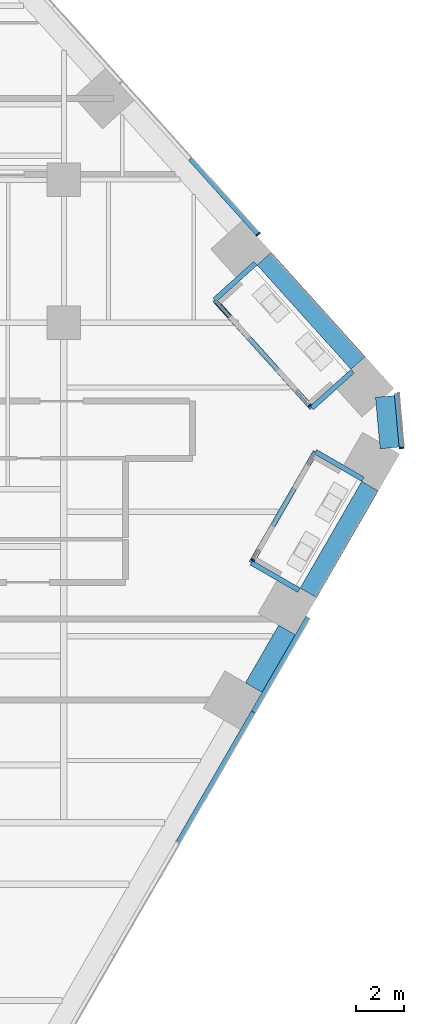
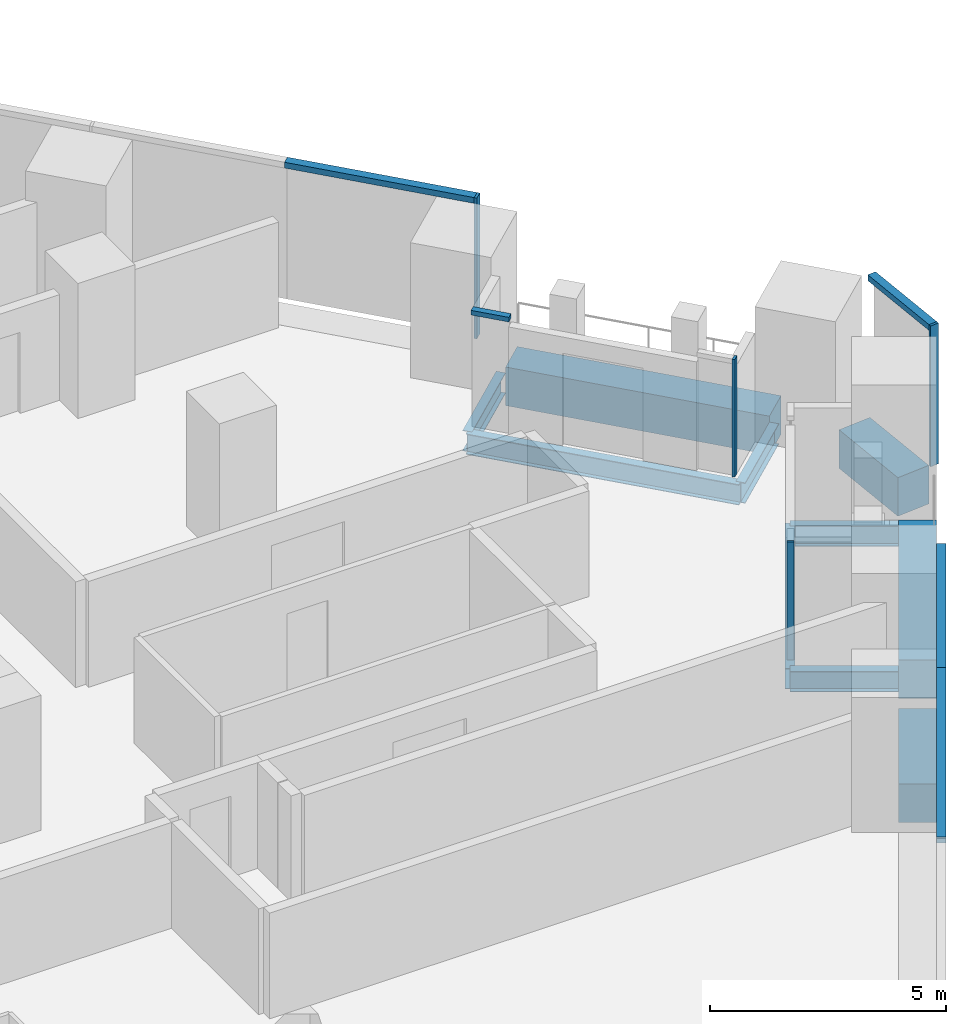
# One storey, part 12 of 28: 10 beams, 9 members, 5 elements without a shape of their own.
"""IFC4 building model written with IfcOpenShell, lengths in metres."""

from ifc_helpers import new_model, si_unit, direction, frame, origin, origin_2d, place, context, subcontext, project, spatial, rectangle, i_section, extrude, material, layer, layer_set, material_profile, profile_set, type_object, element, aggregate, save


model = new_model("IFC4")

# Units and contexts
model_context = context("Model", 3, precision=1e-05, world=origin(), true_north=direction((0.0, 1.0)))
body_context = subcontext(model_context, "Body", "Model", "MODEL_VIEW")
ifc_project = project(units=[si_unit("LENGTHUNIT", "METRE"), si_unit("AREAUNIT", "SQUARE_METRE"), si_unit("VOLUMEUNIT", "CUBIC_METRE"), si_unit("PLANEANGLEUNIT", "RADIAN"), si_unit("MASSUNIT", "GRAM", prefix="KILO")], contexts=[model_context])

# Site, building, storey
site_placement = place(None, origin())
site = spatial("IfcSite", under=ifc_project, at=site_placement, CompositionType="ELEMENT")
building_placement = place(site_placement, origin())
building = spatial("IfcBuilding", under=site, at=building_placement, Name="Isthmus Gate Tower", CompositionType="ELEMENT")
storey_placement = place(building_placement, frame((0.0, 0.0, 68.85009765625)))
storey = spatial("IfcBuildingStorey", under=building, at=storey_placement, Name="L15", CompositionType="ELEMENT", Elevation=68.85009765625)

# Curtain wall, member
ifc_material_1 = material(Name="Aluminium, pale champagne anodised", Category="aluminium")
ifc_layer_1 = layer(ifc_material_1, 0.199951171875)
ifc_layer_set_1 = layer_set([ifc_layer_1], Name="CW-1 UNITISED CURTAIN WALL 200 DEEP")
curtain_wall_type_1 = type_object("IfcCurtainWallType", Name="CW-1 UNITISED CURTAIN WALL 200 DEEP", PredefinedType="NOTDEFINED", material=ifc_layer_set_1)
curtain_wall_1_placement = place(storey_placement, origin())
curtain_wall_1 = element("IfcCurtainWall", 1, at=curtain_wall_1_placement, inside=storey, type_object=curtain_wall_type_1, Name="CW-1 SE-NE L15", PredefinedType="NOTDEFINED")
ifc_material_2 = material(Name="Aluminium, pale champagne anodised", Category="aluminium")
ifc_material_profile_1 = material_profile(ifc_material_2, rectangle(XDim=0.06005859375, YDim=0.199951171875, at=origin_2d()), Name="60x200")
ifc_profile_set_1 = profile_set([ifc_material_profile_1], Name="Aluminium, pale champagne anodised")
member_type_1 = type_object("IfcMemberType", Name="CW-1 MULLION 60 X 200", PredefinedType="MULLION", material=ifc_profile_set_1)
member_1_placement = place(storey_placement, frame((38.178955078125, 2.24169921875, 0.0), z_axis=(0.0, 0.0, 1.0), x_axis=(-0.089396669717, 0.995996102123, 0.0)))
member_1 = element("IfcMember", 2, at=member_1_placement, type_object=member_type_1, Name="CW-1 mullion", PredefinedType="MULLION", context=body_context, shape_type="SweptSolid", body=[
    extrude(rectangle(XDim=0.06005859375, YDim=0.199951171875, at=origin_2d()), origin(), (0.0, 0.0, 1.0), 3.64990234375),
])

curtain_wall_2_placement = place(storey_placement, origin())
curtain_wall_2 = element("IfcCurtainWall", 3, at=curtain_wall_2_placement, inside=storey, type_object=curtain_wall_type_1, Name="CW-1 NE L15", PredefinedType="NOTDEFINED")
member_2_placement = place(storey_placement, frame((32.16162109375, 11.208740234375, 0.0), z_axis=(0.0, 0.0, 1.0), x_axis=(-0.669130606359, 0.743144825477, 0.0)))
member_2 = element("IfcMember", 4, at=member_2_placement, type_object=member_type_1, Name="CW-1 mullion", PredefinedType="MULLION", context=body_context, shape_type="SweptSolid", body=[
    extrude(rectangle(XDim=0.06005859375, YDim=0.199951171875, at=origin_2d()), origin(), (0.0, 0.0, 1.0), 3.64990234375),
])

# Curtain wall, members
curtain_wall_3_placement = place(storey_placement, origin())
curtain_wall_3 = element("IfcCurtainWall", 5, at=curtain_wall_3_placement, inside=storey, type_object=curtain_wall_type_1, Name="CW-1 SE L15", PredefinedType="NOTDEFINED")
ifc_material_3 = material(Name="Aluminium, pale champagne anodised", Category="aluminium")
ifc_material_profile_2 = material_profile(ifc_material_3, rectangle(XDim=0.199951171875, YDim=0.14990234375, at=origin_2d()), Name="200x150")
ifc_profile_set_2 = profile_set([ifc_material_profile_2], Name="Aluminium, pale champagne anodised")
member_type_2 = type_object("IfcMemberType", Name="CW-1 TRANSOM 200 X 150", PredefinedType="USERDEFINED", material=ifc_profile_set_2)
member_3_placement = place(storey_placement, frame((28.817138671875, -14.287353515625, 3.574951171875), z_axis=(0.499995104884, 0.866028229963, 0.0), x_axis=(-0.866028229963, 0.499995104884, 0.0)))
member_3 = element("IfcMember", 6, at=member_3_placement, type_object=member_type_2, Name="CW-1 transom", ObjectType="TRANSOM", PredefinedType="USERDEFINED", context=body_context, shape_type="SweptSolid", body=[
    extrude(rectangle(XDim=0.199951171875, YDim=0.14990234375, at=origin_2d()), origin(), (0.0, 0.0, 1.0), 6.2783203125),
])
member_4_placement = place(storey_placement, frame((31.956298828125, -8.85009765625, 3.574951171875), z_axis=(0.499992401796, 0.866029790565, 0.0), x_axis=(-0.866029790565, 0.499992401796, 0.0)))
member_4 = element("IfcMember", 7, at=member_4_placement, type_object=member_type_2, Name="CW-1 transom", ObjectType="TRANSOM", PredefinedType="USERDEFINED", context=body_context, shape_type="SweptSolid", body=[
    extrude(rectangle(XDim=0.199951171875, YDim=0.14990234375, at=origin_2d()), origin(), (0.0, 0.0, 1.0), 4.5927734375),
])
aggregate(curtain_wall_3, [member_3, member_4])

# Member
member_5_placement = place(storey_placement, frame((38.17626953125, 2.271728515625, 3.574951171875), z_axis=(-0.089395362867, 0.995996219419, 0.0), x_axis=(-0.995996219419, -0.089395362867, 0.0)))
member_5 = element("IfcMember", 8, at=member_5_placement, type_object=member_type_2, Name="CW-1 transom", ObjectType="TRANSOM", PredefinedType="USERDEFINED", context=body_context, shape_type="SweptSolid", body=[
    extrude(rectangle(XDim=0.199951171875, YDim=0.14990234375, at=origin_2d()), origin(), (0.0, 0.0, 1.0), 2.258544921875),
])

aggregate(curtain_wall_1, [member_1, member_5])

member_6_placement = place(storey_placement, frame((32.141357421875, 11.23095703125, 3.574951171875), z_axis=(-0.669123979474, 0.743150792298, 0.0), x_axis=(-0.743150792298, -0.669123979474, 0.0)))
member_6 = element("IfcMember", 9, at=member_6_placement, type_object=member_type_2, Name="CW-1 transom", ObjectType="TRANSOM", PredefinedType="USERDEFINED", context=body_context, shape_type="SweptSolid", body=[
    extrude(rectangle(XDim=0.199951171875, YDim=0.14990234375, at=origin_2d()), origin(), (0.0, 0.0, 1.0), 4.234619140625),
])

aggregate(curtain_wall_2, [member_2, member_6])

# Curtain wall, member
ifc_material_4 = material(Name="Aluminium, pale champagne anodised", Category="aluminium")
ifc_layer_2 = layer(ifc_material_4, 0.14990234375)
ifc_layer_set_2 = layer_set([ifc_layer_2], Name="CW-6 LOGGIA BACK WALL GLAZING 150 DEEP")
curtain_wall_type_2 = type_object("IfcCurtainWallType", Name="CW-6 LOGGIA BACK WALL GLAZING 150 DEEP", PredefinedType="NOTDEFINED", material=ifc_layer_set_2)
curtain_wall_4_placement = place(storey_placement, origin())
curtain_wall_4 = element("IfcCurtainWall", 10, at=curtain_wall_4_placement, inside=storey, type_object=curtain_wall_type_2, Name="CW-6 SE L15", PredefinedType="NOTDEFINED")
ifc_material_5 = material(Name="Aluminium, pale champagne anodised", Category="aluminium")
ifc_material_profile_3 = material_profile(ifc_material_5, rectangle(XDim=0.06005859375, YDim=0.14990234375, at=origin_2d()), Name="60x150")
ifc_profile_set_3 = profile_set([ifc_material_profile_3], Name="Aluminium, pale champagne anodised")
member_type_3 = type_object("IfcMemberType", Name="CW-6 MULLION 60 X 150", PredefinedType="MULLION", material=ifc_profile_set_3)
member_7_placement = place(storey_placement, frame((31.946533203125, -2.467041015625, 0.0), z_axis=(0.0, 0.0, 1.0), x_axis=(0.5, 0.866025403784, 0.0)))
member_7 = element("IfcMember", 11, at=member_7_placement, type_object=member_type_3, Name="CW-6 mullion", PredefinedType="MULLION", context=body_context, shape_type="SweptSolid", body=[
    extrude(rectangle(XDim=0.06005859375, YDim=0.14990234375, at=origin_2d()), origin(), (0.0, 0.0, 1.0), 3.0498046875),
])
aggregate(curtain_wall_4, [member_7])

# Curtain wall, members
curtain_wall_5_placement = place(storey_placement, origin())
curtain_wall_5 = element("IfcCurtainWall", 12, at=curtain_wall_5_placement, inside=storey, type_object=curtain_wall_type_2, Name="CW-6 NE L15", PredefinedType="NOTDEFINED")
member_8_placement = place(storey_placement, frame((34.326416015625, 4.02197265625, 0.0), z_axis=(0.0, 0.0, 1.0), x_axis=(-0.669130606359, 0.743144825477, 0.0)))
member_8 = element("IfcMember", 13, at=member_8_placement, type_object=member_type_3, Name="CW-6 mullion", PredefinedType="MULLION", context=body_context, shape_type="SweptSolid", body=[
    extrude(rectangle(XDim=0.06005859375, YDim=0.14990234375, at=origin_2d()), origin(), (0.0, 0.0, 1.0), 3.0498046875),
])
ifc_material_6 = material(Name="Aluminium, pale champagne anodised", Category="aluminium")
ifc_material_profile_4 = material_profile(ifc_material_6, rectangle(XDim=0.14990234375, YDim=0.1201171875, at=origin_2d()), Name="150x120")
ifc_profile_set_4 = profile_set([ifc_material_profile_4], Name="Aluminium, pale champagne anodised")
member_type_4 = type_object("IfcMemberType", Name="CW-6 TRANSOM 150 X 120", PredefinedType="USERDEFINED", material=ifc_profile_set_4)
member_9_placement = place(storey_placement, frame((30.970947265625, 7.74853515625, 2.989990234375), z_axis=(-0.669140375963, 0.74313602877, 0.0), x_axis=(-0.74313602877, -0.669140375963, 0.0)))
member_9 = element("IfcMember", 14, at=member_9_placement, type_object=member_type_4, Name="CW-6 transom", ObjectType="TRANSOM", PredefinedType="USERDEFINED", context=body_context, shape_type="SweptSolid", body=[
    extrude(rectangle(XDim=0.14990234375, YDim=0.1201171875, at=origin_2d()), origin(), (0.0, 0.0, 1.0), 0.8447265625),
])
aggregate(curtain_wall_5, [member_8, member_9])

# Beams
ifc_material_7 = material(Name="Concrete f'c 70 MPa", Category="concrete")
ifc_material_profile_5 = material_profile(ifc_material_7, rectangle(XDim=0.800048828125, YDim=1.0, at=origin_2d()), Name="RC 800X1000")
ifc_profile_set_5 = profile_set([ifc_material_profile_5], Name="Concrete f'c 70 MPa")
beam_type_1 = type_object("IfcBeamType", Name="RC SPANDREL 800 X 1000", PredefinedType="SPANDREL", material=ifc_profile_set_5)
beam_1_placement = place(storey_placement, frame((32.412353515625, 10.182861328125, -0.5), z_axis=(0.669138782017, -0.743137464001, 0.0), x_axis=(0.743137464001, 0.669138782017, 0.0)))
element("IfcBeam", 15, at=beam_1_placement, inside=storey, type_object=beam_type_1, Name="str-spandrel-L15-04", PredefinedType="SPANDREL", context=body_context, shape_type="SweptSolid", body=[
    extrude(rectangle(XDim=0.800048828125, YDim=1.0, at=origin_2d()), origin(), (0.0, 0.0, 1.0), 5.88916015625),
])
beam_2_placement = place(storey_placement, frame((37.483154296875, 4.40185546875, -0.5), z_axis=(0.089421511639, -0.995993872098, 0.0), x_axis=(0.995993872098, 0.089421511639, 0.0)))
element("IfcBeam", 16, at=beam_2_placement, inside=storey, type_object=beam_type_1, Name="str-spandrel-L15-05", PredefinedType="SPANDREL", context=body_context, shape_type="SweptSolid", body=[
    extrude(rectangle(XDim=0.800048828125, YDim=1.0, at=origin_2d()), origin(), (0.0, 0.0, 1.0), 2.17333984375),
])
beam_3_placement = place(storey_placement, frame((36.8544921875, 0.6337890625, -0.5), z_axis=(-0.50000453793, -0.866022783793, 0.0), x_axis=(0.866022783793, -0.50000453793, 0.0)))
element("IfcBeam", 17, at=beam_3_placement, inside=storey, type_object=beam_type_1, Name="str-spandrel-L15-06", PredefinedType="SPANDREL", context=body_context, shape_type="SweptSolid", body=[
    extrude(rectangle(XDim=0.800048828125, YDim=1.0, at=origin_2d()), origin(), (0.0, 0.0, 1.0), 5.16943359375),
])
beam_4_placement = place(storey_placement, frame((33.369873046875, -5.40185546875, -0.5), z_axis=(-0.500012514453, -0.866018178441, 0.0), x_axis=(0.866018178441, -0.500012514453, 0.0)))
element("IfcBeam", 18, at=beam_4_placement, inside=storey, type_object=beam_type_1, Name="str-spandrel-L15-07", PredefinedType="SPANDREL", context=body_context, shape_type="SweptSolid", body=[
    extrude(rectangle(XDim=0.800048828125, YDim=1.0, at=origin_2d()), origin(), (0.0, 0.0, 1.0), 2.79296875),
])
ifc_material_8 = material(Name="Structural steel ASTM A992 Gr 50", Category="steel")
ifc_material_profile_6 = material_profile(ifc_material_8, i_section(OverallWidth=0.20947265625, OverallDepth=0.533447265625, WebThickness=0.009521484375, FlangeThickness=0.015869140625, at=origin_2d()), Name="W21X62")
ifc_profile_set_6 = profile_set([ifc_material_profile_6], Name="Structural steel ASTM A992 Gr 50")
beam_type_2 = type_object("IfcBeamType", Name="STEEL TRIMMER W21X62", PredefinedType="BEAM", material=ifc_profile_set_6)
beam_5_placement = place(storey_placement, frame((31.875, -2.581298828125, -0.416748046875), z_axis=(0.500005339912, 0.866022320763, 0.0), x_axis=(-0.866022320763, 0.500005339912, 0.0)))
element("IfcBeam", 19, at=beam_5_placement, inside=storey, type_object=beam_type_2, Name="str-loggiatrim-L15-05-B", PredefinedType="BEAM", context=body_context, shape_type="SweptSolid", body=[
    extrude(i_section(OverallWidth=0.20947265625, OverallDepth=0.533447265625, WebThickness=0.009521484375, FlangeThickness=0.015869140625, at=origin_2d()), origin(), (0.0, 0.0, 1.0), 5.37890625),
])
for number, where, z_axis, x_axis, name in (
    (20, (33.87109375, -3.733642578125, -0.416748046875), (-0.866044474677, 0.49996696679, 0.0), (-0.49996696679, -0.866044474677, 0.0), "str-loggiatrim-L15-05-A"),
    (21, (36.560546875, 0.924560546875, -0.416748046875), (-0.866044474677, 0.49996696679, 0.0), (-0.49996696679, -0.866044474677, 0.0), "str-loggiatrim-L15-05-C"),
):
    element("IfcBeam", number, at=place(storey_placement, frame(where, z_axis=z_axis, x_axis=x_axis)), inside=storey, type_object=beam_type_2, Name=name, PredefinedType="BEAM", context=body_context, shape_type="SweptSolid", body=[
        extrude(i_section(OverallWidth=0.20947265625, OverallDepth=0.533447265625, WebThickness=0.009521484375, FlangeThickness=0.015869140625, at=origin_2d()), origin(), (0.0, 0.0, 1.0), 2.304931640625),
    ])
beam_6_placement = place(storey_placement, frame((34.4130859375, 3.918701171875, -0.416748046875), z_axis=(-0.669150487814, 0.743126923653, 0.0), x_axis=(-0.743126923653, -0.669150487814, 0.0)))
element("IfcBeam", 22, at=beam_6_placement, inside=storey, type_object=beam_type_2, Name="str-loggiatrim-L15-06-B", PredefinedType="BEAM", context=body_context, shape_type="SweptSolid", body=[
    extrude(i_section(OverallWidth=0.20947265625, OverallDepth=0.533447265625, WebThickness=0.009521484375, FlangeThickness=0.015869140625, at=origin_2d()), origin(), (0.0, 0.0, 1.0), 6.098876953125),
])
beam_7_placement = place(storey_placement, frame((36.125732421875, 5.4609375, -0.416748046875), z_axis=(-0.743109762025, -0.669169546217, 0.0), x_axis=(0.669169546217, -0.743109762025, 0.0)))
element("IfcBeam", 23, at=beam_7_placement, inside=storey, type_object=beam_type_2, Name="str-loggiatrim-L15-06-A", PredefinedType="BEAM", context=body_context, shape_type="SweptSolid", body=[
    extrude(i_section(OverallWidth=0.20947265625, OverallDepth=0.533447265625, WebThickness=0.009521484375, FlangeThickness=0.015869140625, at=origin_2d()), origin(), (0.0, 0.0, 1.0), 2.3046875),
])
beam_8_placement = place(storey_placement, frame((32.044921875, 9.9931640625, -0.416748046875), z_axis=(-0.743157191285, -0.669116872484, 0.0), x_axis=(0.669116872484, -0.743157191285, 0.0)))
element("IfcBeam", 24, at=beam_8_placement, inside=storey, type_object=beam_type_2, Name="str-loggiatrim-L15-06-C", PredefinedType="BEAM", context=body_context, shape_type="SweptSolid", body=[
    extrude(i_section(OverallWidth=0.20947265625, OverallDepth=0.533447265625, WebThickness=0.009521484375, FlangeThickness=0.015869140625, at=origin_2d()), origin(), (0.0, 0.0, 1.0), 2.304931640625),
])

save(model, "model.ifc")
